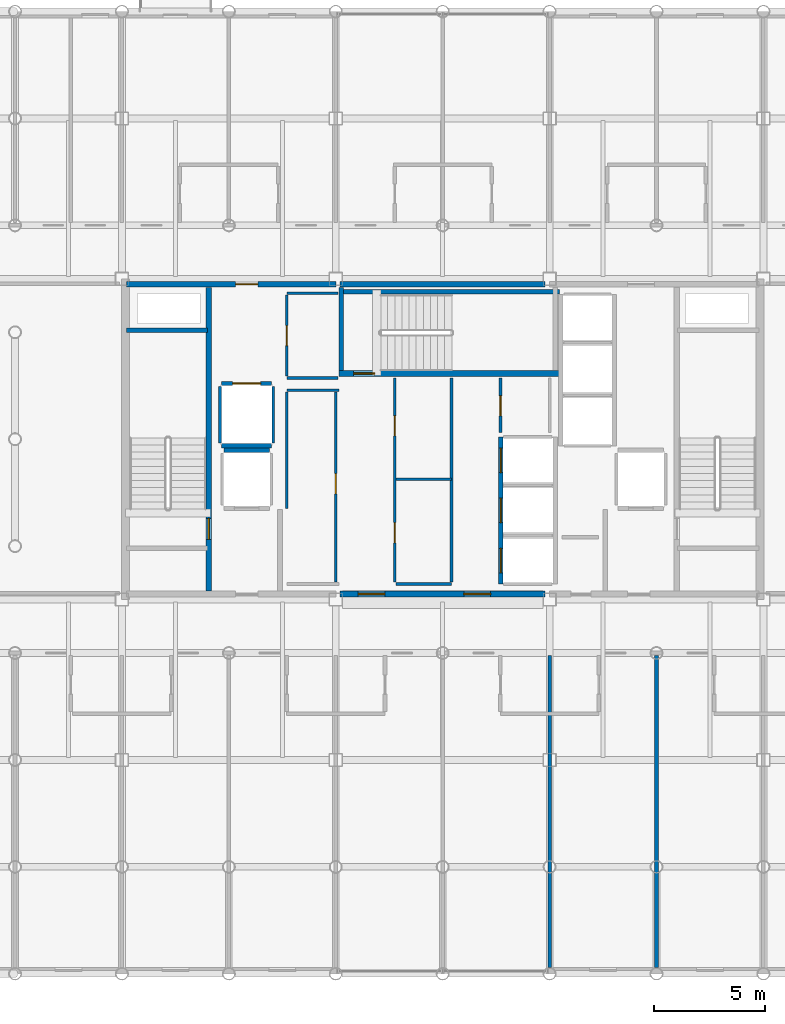
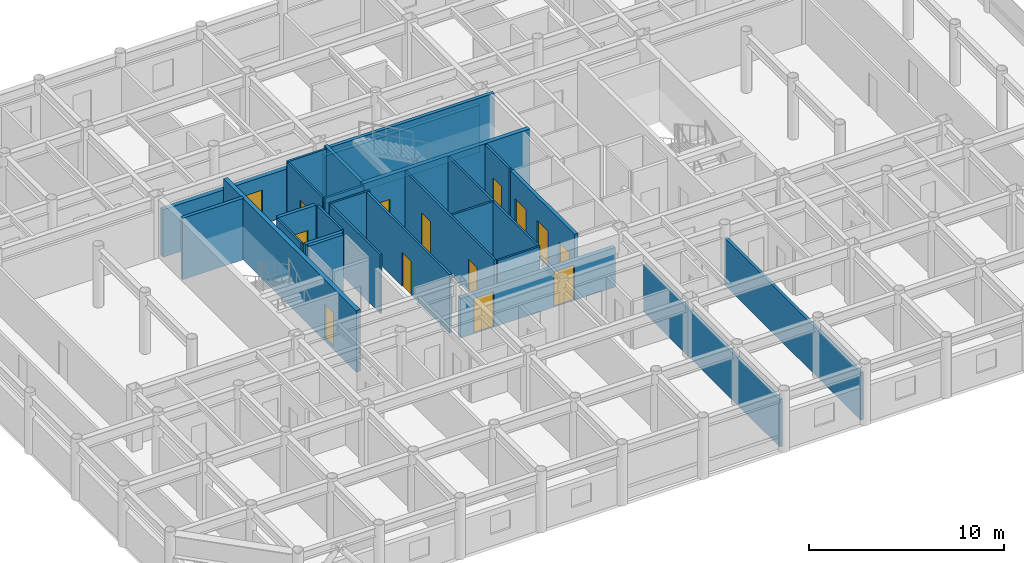
# One storey, part 18 of 23: 27 walls, 14 doors, 14 openings.
"""IFC4 building model written with IfcOpenShell, lengths in metres."""

from ifc_helpers import new_model, si_unit, direction, frame, frame_2d, origin, place, context, subcontext, project, spatial, rectangle, extrude, material, layer, layer_set, type_object, element, fill, save


model = new_model("IFC4")

# Units and contexts
model_context = context("Model", 3, precision=1e-05, world=origin(), true_north=direction((0.0, 1.0)))
body_context = subcontext(model_context, "Body", "Model", "MODEL_VIEW")
ifc_project = project(units=[si_unit("LENGTHUNIT", "METRE"), si_unit("AREAUNIT", "SQUARE_METRE"), si_unit("VOLUMEUNIT", "CUBIC_METRE"), si_unit("PLANEANGLEUNIT", "RADIAN"), si_unit("MASSUNIT", "GRAM", prefix="KILO")], contexts=[model_context])

# Site, building, storey
site_placement = place(None, origin())
site = spatial("IfcSite", under=ifc_project, at=site_placement, CompositionType="ELEMENT")
building_placement = place(site_placement, origin())
building = spatial("IfcBuilding", under=site, at=building_placement, Name="Kallvorn Hotel Tower", CompositionType="ELEMENT")
storey_placement = place(building_placement, frame((0.0, 0.0, 195.35009765625)))
storey = spatial("IfcBuildingStorey", under=building, at=storey_placement, Name="L48", CompositionType="ELEMENT", Elevation=195.35009765625)

# Walls
ifc_material_1 = material(Name="Fire-rated double-layer acoustic gypsum drywall EI 60")
ifc_layer_1 = layer(ifc_material_1, 0.159912109375)
ifc_layer_set_1 = layer_set([ifc_layer_1], Name="WL_DEMISE_160")
wall_type_1 = type_object("IfcWallType", Name="WL_DEMISE_160", PredefinedType="PARTITIONING", material=ifc_layer_set_1)
for number, where, z_axis, x_axis, name in (
    (1, (4.800048828125, -23.7099609375, 0.0), (0.0, 0.0, 1.0), (0.0, 1.0, 0.0), "L48 Suite 4805 Superior Twin Room Partition"),
    (2, (9.60009765625, -23.7099609375, 0.0), (0.0, 0.0, 1.0), (0.0, 1.0, 0.0), "L48 Suite 4806 Superior Twin Room Partition"),
):
    element("IfcWall", number, at=place(storey_placement, frame(where, z_axis=z_axis, x_axis=x_axis)), inside=storey, type_object=wall_type_1, Name=name, PredefinedType="PARTITIONING", context=body_context, shape_type="SweptSolid", body=[
        extrude(rectangle(XDim=13.989990234375, YDim=0.159912109375, at=frame_2d((6.9951171875, 0.0))), origin(), (0.0, 0.0, 1.0), 2.969970703125),
    ])
ifc_material_2 = material(Name="Concrete C40/50", Category="concrete")
ifc_layer_2 = layer(ifc_material_2, 0.199951171875)
ifc_layer_set_2 = layer_set([ifc_layer_2], Name="WL_HOIST_200")
wall_type_2 = type_object("IfcWallType", Name="WL_HOIST_200", PredefinedType="SOLIDWALL", material=ifc_layer_set_2)
wall_1_placement = place(storey_placement, frame((-14.199951171875, 4.89990234375, -0.18017578125), z_axis=(0.0, 0.0, 1.0), x_axis=(1.0, 0.0, 0.0)))
element("IfcWall", 3, at=wall_1_placement, inside=storey, type_object=wall_type_2, Name="L48 Stair ST1 North Wall", PredefinedType="SOLIDWALL", context=body_context, shape_type="SweptSolid", body=[
    extrude(rectangle(XDim=3.64990234375, YDim=0.199951171875, at=frame_2d((1.824951171875, 0.0))), origin(), (0.0, 0.0, 1.0), 3.85009765625),
])
wall_2_placement = place(storey_placement, frame((-4.64990234375, 6.610107421875, -0.18017578125), z_axis=(0.0, 0.0, 1.0), x_axis=(1.0, 0.0, 0.0)))
element("IfcWall", 4, at=wall_2_placement, inside=storey, type_object=wall_type_2, Name="L48 Stair ST3 Shaft North Wall", PredefinedType="SOLIDWALL", context=body_context, shape_type="SweptSolid", body=[
    extrude(rectangle(XDim=9.89990234375, YDim=0.199951171875, at=frame_2d((4.949951171875, 0.0))), origin(), (0.0, 0.0, 1.0), 3.85009765625),
])
wall_3_placement = place(storey_placement, frame((-4.550048828125, 3.080078125, -0.18017578125), z_axis=(0.0, 0.0, 1.0), x_axis=(0.0, 1.0, 0.0)))
element("IfcWall", 5, at=wall_3_placement, inside=storey, type_object=wall_type_2, Name="L48 Stair ST3 West Wall", PredefinedType="SOLIDWALL", context=body_context, shape_type="SweptSolid", body=[
    extrude(rectangle(XDim=3.739990234375, YDim=0.199951171875, at=frame_2d((1.8701171875, 0.0))), origin(), (0.0, 0.0, 1.0), 3.85009765625),
])

# Wall, openings, doors
wall_4_placement = place(storey_placement, frame((2.60009765625, -6.5, 0.0), z_axis=(0.0, 0.0, 1.0), x_axis=(0.0, 1.0, 0.0)))
wall_4 = element("IfcWall", 6, at=wall_4_placement, inside=storey, type_object=wall_type_2, Name="L48 Lift Bank B3A Landing Wall", PredefinedType="SOLIDWALL", context=body_context, shape_type="SweptSolid", body=[
    extrude(rectangle(XDim=6.60009765625, YDim=0.199951171875, at=frame_2d((3.300048828125, 0.0))), origin(), (0.0, 0.0, 1.0), 3.669921875),
])
opening_1_placement = place(wall_4_placement, frame((0.5, 0.0, 0.0)))
opening_1 = element("IfcOpeningElement", 7, at=opening_1_placement, cuts=wall_4, Name="Opening LD-PL-09", PredefinedType="OPENING", context=body_context, shape_type="SweptSolid", body=[
    extrude(rectangle(XDim=1.10009765625, YDim=2.199951171875, at=frame_2d((0.550048828125, 1.10009765625))), frame((0.0, 0.114990234375, 0.0), z_axis=(0.0, -1.0, 0.0), x_axis=(1.0, 0.0, 0.0)), (0.0, 0.0, 1.0), 0.22998046875),
])
opening_2_placement = place(wall_4_placement, frame((2.75, 0.0, 0.0)))
opening_2 = element("IfcOpeningElement", 8, at=opening_2_placement, cuts=wall_4, Name="Opening LD-PL-10", PredefinedType="OPENING", context=body_context, shape_type="SweptSolid", body=[
    extrude(rectangle(XDim=1.10009765625, YDim=2.199951171875, at=frame_2d((0.550048828125, 1.10009765625))), frame((0.0, 0.114990234375, 0.0), z_axis=(0.0, -1.0, 0.0), x_axis=(1.0, 0.0, 0.0)), (0.0, 0.0, 1.0), 0.22998046875),
])
opening_3_placement = place(wall_4_placement, frame((5.0, 0.0, 0.0)))
opening_3 = element("IfcOpeningElement", 9, at=opening_3_placement, cuts=wall_4, Name="Opening LD-PL-11", PredefinedType="OPENING", context=body_context, shape_type="SweptSolid", body=[
    extrude(rectangle(XDim=1.10009765625, YDim=2.199951171875, at=frame_2d((0.550048828125, 1.10009765625))), frame((0.0, 0.114990234375, 0.0), z_axis=(0.0, -1.0, 0.0), x_axis=(1.0, 0.0, 0.0)), (0.0, 0.0, 1.0), 0.22998046875),
])
ifc_material_3 = material(Name="Brushed stainless-steel automatic sliding lift landing door", Category="steel")
door_type_1 = type_object("IfcDoorType", Name="LD_PASS_1100x2200", OperationType="SLIDING_TO_LEFT", PredefinedType="DOOR", material=ifc_material_3)
door_1_placement = place(opening_1_placement, origin())
door_1 = element("IfcDoor", 10, at=door_1_placement, inside=storey, type_object=door_type_1, Name="L48 Lift Landing Sliding Door LD-PL-09", OperationType="SLIDING_TO_LEFT", OverallHeight=2.199951171875, OverallWidth=1.10009765625, PredefinedType="DOOR", context=body_context, shape_type="SweptSolid", body=[
    extrude(rectangle(XDim=1.10009765625, YDim=2.199951171875, at=frame_2d((0.550048828125, 1.10009765625))), frame((0.0, 0.02490234375, 0.0), z_axis=(0.0, -1.0, 0.0), x_axis=(1.0, 0.0, 0.0)), (0.0, 0.0, 1.0), 0.050048828125),
])
fill(opening_1, door_1)
door_2_placement = place(opening_2_placement, origin())
door_2 = element("IfcDoor", 11, at=door_2_placement, inside=storey, type_object=door_type_1, Name="L48 Lift Landing Sliding Door LD-PL-10", OperationType="SLIDING_TO_LEFT", OverallHeight=2.199951171875, OverallWidth=1.10009765625, PredefinedType="DOOR", context=body_context, shape_type="SweptSolid", body=[
    extrude(rectangle(XDim=1.10009765625, YDim=2.199951171875, at=frame_2d((0.550048828125, 1.10009765625))), frame((0.0, 0.02490234375, 0.0), z_axis=(0.0, -1.0, 0.0), x_axis=(1.0, 0.0, 0.0)), (0.0, 0.0, 1.0), 0.050048828125),
])
fill(opening_2, door_2)
door_3_placement = place(opening_3_placement, origin())
door_3 = element("IfcDoor", 12, at=door_3_placement, inside=storey, type_object=door_type_1, Name="L48 Lift Landing Sliding Door LD-PL-11", OperationType="SLIDING_TO_LEFT", OverallHeight=2.199951171875, OverallWidth=1.10009765625, PredefinedType="DOOR", context=body_context, shape_type="SweptSolid", body=[
    extrude(rectangle(XDim=1.10009765625, YDim=2.199951171875, at=frame_2d((0.550048828125, 1.10009765625))), frame((0.0, 0.02490234375, 0.0), z_axis=(0.0, -1.0, 0.0), x_axis=(1.0, 0.0, 0.0)), (0.0, 0.0, 1.0), 0.050048828125),
])
fill(opening_3, door_3)

# Wall
wall_5_placement = place(storey_placement, frame((-9.820068359375, -0.5, 0.0), z_axis=(0.0, 0.0, 1.0), x_axis=(1.0, 0.0, 0.0)))
element("IfcWall", 13, at=wall_5_placement, inside=storey, type_object=wall_type_2, Name="L48 FL-1 Rear Shaft Wall", PredefinedType="SOLIDWALL", context=body_context, shape_type="SweptSolid", body=[
    extrude(rectangle(XDim=2.0400390625, YDim=0.199951171875, at=frame_2d((1.02001953125, 0.0))), origin(), (0.0, 0.0, 1.0), 3.669921875),
])

# Wall, opening, door
wall_6_placement = place(storey_placement, frame((-9.919921875, 2.5, 0.0), z_axis=(0.0, 0.0, 1.0), x_axis=(1.0, 0.0, 0.0)))
wall_6 = element("IfcWall", 14, at=wall_6_placement, inside=storey, type_object=wall_type_2, Name="L48 SV-01 Landing Wall", PredefinedType="SOLIDWALL", context=body_context, shape_type="SweptSolid", body=[
    extrude(rectangle(XDim=2.239990234375, YDim=0.199951171875, at=frame_2d((1.1201171875, 0.0))), origin(), (0.0, 0.0, 1.0), 3.669921875),
])
opening_4_placement = place(wall_6_placement, frame((0.4951171875, 0.0, 0.0)))
opening_4 = element("IfcOpeningElement", 15, at=opening_4_placement, cuts=wall_6, Name="Opening LD-SV-01", PredefinedType="OPENING", context=body_context, shape_type="SweptSolid", body=[
    extrude(rectangle(XDim=1.25, YDim=2.25, at=frame_2d((0.625, 1.125))), frame((0.0, 0.114990234375, 0.0), z_axis=(0.0, -1.0, 0.0), x_axis=(1.0, 0.0, 0.0)), (0.0, 0.0, 1.0), 0.22998046875),
])
ifc_material_4 = material(Name="Brushed stainless-steel automatic sliding lift landing door", Category="steel")
door_type_2 = type_object("IfcDoorType", Name="LD_SERV_1250x2250", OperationType="SLIDING_TO_LEFT", PredefinedType="DOOR", material=ifc_material_4)
door_4_placement = place(opening_4_placement, origin())
door_4 = element("IfcDoor", 16, at=door_4_placement, inside=storey, type_object=door_type_2, Name="L48 Lift Landing Sliding Door LD-SV-01", OperationType="SLIDING_TO_LEFT", OverallHeight=2.25, OverallWidth=1.25, PredefinedType="DOOR", context=body_context, shape_type="SweptSolid", body=[
    extrude(rectangle(XDim=1.25, YDim=2.25, at=frame_2d((0.625, 1.125))), frame((0.0, 0.02490234375, 0.0), z_axis=(0.0, -1.0, 0.0), x_axis=(1.0, 0.0, 0.0)), (0.0, 0.0, 1.0), 0.050048828125),
])
fill(opening_4, door_4)

# Walls
wall_7_placement = place(storey_placement, frame((-9.919921875, -0.300048828125, 0.0), z_axis=(0.0, 0.0, 1.0), x_axis=(1.0, 0.0, 0.0)))
element("IfcWall", 17, at=wall_7_placement, inside=storey, type_object=wall_type_2, Name="L48 SV-01 Rear Shaft Wall", PredefinedType="SOLIDWALL", context=body_context, shape_type="SweptSolid", body=[
    extrude(rectangle(XDim=2.239990234375, YDim=0.199951171875, at=frame_2d((1.1201171875, 0.0))), origin(), (0.0, 0.0, 1.0), 3.669921875),
])
ifc_material_5 = material(Name="Fire-rated double-layer acoustic gypsum drywall EI 60")
ifc_layer_3 = layer(ifc_material_5, 0.1201171875)
ifc_layer_set_3 = layer_set([ifc_layer_3], Name="WL_INT_120")
wall_type_3 = type_object("IfcWallType", Name="WL_INT_120", PredefinedType="PARTITIONING", material=ifc_layer_set_3)
for number, where, z_axis, x_axis, name in (
    (18, (-10.0, -0.159912109375, 0.0), (0.0, 0.0, 1.0), (0.0, 1.0, 0.0), "L48 SV-01 West Shaft Wall"),
    (19, (-7.60009765625, -0.159912109375, 0.0), (0.0, 0.0, 1.0), (0.0, 1.0, 0.0), "L48 SV-01 East Shaft Wall"),
):
    element("IfcWall", number, at=place(storey_placement, frame(where, z_axis=z_axis, x_axis=x_axis)), inside=storey, type_object=wall_type_3, Name=name, PredefinedType="PARTITIONING", context=body_context, shape_type="SweptSolid", body=[
        extrude(rectangle(XDim=2.52001953125, YDim=0.1201171875, at=frame_2d((1.260009765625, 0.0))), origin(), (0.0, 0.0, 1.0), 3.669921875),
    ])
for number, where, z_axis, x_axis, name in (
    (20, (-2.10009765625, -6.5, 0.0), (0.0, 0.0, 1.0), (1.0, 0.0, 0.0), "L48 High-Zone Sommelier and Beverage Pantry Partition"),
    (21, (-2.10009765625, -1.800048828125, 0.0), (0.0, 0.0, 1.0), (1.0, 0.0, 0.0), "L48 High-Zone Housekeeping Reserve Store Partition"),
):
    element("IfcWall", number, at=place(storey_placement, frame(where, z_axis=z_axis, x_axis=x_axis)), inside=storey, type_object=wall_type_3, Name=name, PredefinedType="PARTITIONING", context=body_context, shape_type="SweptSolid", body=[
        extrude(rectangle(XDim=2.5, YDim=0.1201171875, at=frame_2d((1.25, 0.0))), origin(), (0.0, 0.0, 1.0), 3.669921875),
    ])
wall_8_placement = place(storey_placement, frame((-7.0, 2.199951171875, 0.0), z_axis=(0.0, 0.0, 1.0), x_axis=(1.0, 0.0, 0.0)))
element("IfcWall", 22, at=wall_8_placement, inside=storey, type_object=wall_type_3, Name="L48 Recaptured Butler and Room-Service Pantry Partition", PredefinedType="PARTITIONING", context=body_context, shape_type="SweptSolid", body=[
    extrude(rectangle(XDim=2.35009765625, YDim=0.1201171875, at=frame_2d((1.175048828125, 0.0))), origin(), (0.0, 0.0, 1.0), 3.669921875),
])
for number, where, z_axis, x_axis, name in (
    (23, (-7.0, 2.75, 0.0), (0.0, 0.0, 1.0), (1.0, 0.0, 0.0), "L48 Recaptured Valet and Linen Reserve Store Partition"),
    (24, (-7.0, 6.550048828125, 0.0), (0.0, 0.0, 1.0), (1.0, 0.0, 0.0), "L48 Recaptured Valet and Linen Reserve Store Partition"),
):
    element("IfcWall", number, at=place(storey_placement, frame(where, z_axis=z_axis, x_axis=x_axis)), inside=storey, type_object=wall_type_3, Name=name, PredefinedType="PARTITIONING", context=body_context, shape_type="SweptSolid", body=[
        extrude(rectangle(XDim=2.31005859375, YDim=0.1201171875, at=frame_2d((1.155029296875, 0.0))), origin(), (0.0, 0.0, 1.0), 3.669921875),
    ])
wall_9_placement = place(storey_placement, frame((-7.0048828125, -3.110107421875, 0.0), z_axis=(0.0, 0.0, 1.0), x_axis=(0.0, 1.0, 0.0)))
element("IfcWall", 25, at=wall_9_placement, inside=storey, type_object=wall_type_3, Name="L48 Recaptured Butler and Room-Service Pantry Partition", PredefinedType="PARTITIONING", context=body_context, shape_type="SweptSolid", body=[
    extrude(rectangle(XDim=5.22509765625, YDim=0.1201171875, at=frame_2d((2.612548828125, 0.0))), origin(), (0.0, 0.0, 1.0), 3.669921875),
])

# Wall, opening, door
wall_10_placement = place(storey_placement, frame((-7.0048828125, 2.8349609375, 0.0), z_axis=(0.0, 0.0, 1.0), x_axis=(0.0, 1.0, 0.0)))
wall_10 = element("IfcWall", 26, at=wall_10_placement, inside=storey, type_object=wall_type_3, Name="L48 Recaptured Valet and Linen Reserve Store Partition", PredefinedType="PARTITIONING", context=body_context, shape_type="SweptSolid", body=[
    extrude(rectangle(XDim=3.630126953125, YDim=0.1201171875, at=frame_2d((1.81494140625, 0.0))), origin(), (0.0, 0.0, 1.0), 3.669921875),
])
opening_5_placement = place(wall_10_placement, frame((1.364990234375, 0.0, 0.0)))
opening_5 = element("IfcOpeningElement", 27, at=opening_5_placement, cuts=wall_10, Name="Opening SVD1", PredefinedType="OPENING", context=body_context, shape_type="SweptSolid", body=[
    extrude(rectangle(XDim=0.89990234375, YDim=2.10009765625, at=frame_2d((0.449951171875, 1.050048828125))), frame((0.0, 0.074951171875, 0.0), z_axis=(0.0, -1.0, 0.0), x_axis=(1.0, 0.0, 0.0)), (0.0, 0.0, 1.0), 0.150146484375),
])
ifc_material_6 = material(Name="Galvanised painted steel fire-rated door assembly", Category="steel")
door_type_3 = type_object("IfcDoorType", Name="DR_SERV_900x2100", OperationType="NOTDEFINED", PredefinedType="DOOR", material=ifc_material_6)
door_5_placement = place(opening_5_placement, origin())
door_5 = element("IfcDoor", 28, at=door_5_placement, inside=storey, type_object=door_type_3, Name="L48 Recaptured Valet and Linen Reserve Store Door", OperationType="SINGLE_SWING_RIGHT", OverallHeight=2.10009765625, OverallWidth=0.89990234375, PredefinedType="DOOR", context=body_context, shape_type="SweptSolid", body=[
    extrude(rectangle(XDim=0.89990234375, YDim=2.10009765625, at=frame_2d((0.449951171875, 1.050048828125))), frame((0.0, 0.02490234375, 0.0), z_axis=(0.0, -1.0, 0.0), x_axis=(1.0, 0.0, 0.0)), (0.0, 0.0, 1.0), 0.050048828125),
])
fill(opening_5, door_5)

wall_11_placement = place(storey_placement, frame((-4.800048828125, -6.4150390625, 0.0), z_axis=(0.0, 0.0, 1.0), x_axis=(0.0, 1.0, 0.0)))
wall_11 = element("IfcWall", 29, at=wall_11_placement, inside=storey, type_object=wall_type_3, Name="L48 Recaptured Butler and Room-Service Pantry Partition", PredefinedType="PARTITIONING", context=body_context, shape_type="SweptSolid", body=[
    extrude(rectangle(XDim=8.530029296875, YDim=0.1201171875, at=frame_2d((4.26513671875, 0.0))), origin(), (0.0, 0.0, 1.0), 3.669921875),
])
opening_6_placement = place(wall_11_placement, frame((3.965087890625, 0.0, 0.0)))
opening_6 = element("IfcOpeningElement", 30, at=opening_6_placement, cuts=wall_11, Name="Opening SVD1", PredefinedType="OPENING", context=body_context, shape_type="SweptSolid", body=[
    extrude(rectangle(XDim=0.89990234375, YDim=2.10009765625, at=frame_2d((0.449951171875, 1.050048828125))), frame((0.0, 0.074951171875, 0.0), z_axis=(0.0, -1.0, 0.0), x_axis=(1.0, 0.0, 0.0)), (0.0, 0.0, 1.0), 0.150146484375),
])
door_6_placement = place(opening_6_placement, origin())
door_6 = element("IfcDoor", 31, at=door_6_placement, inside=storey, type_object=door_type_3, Name="L48 Recaptured Butler and Room-Service Pantry Door", OperationType="SINGLE_SWING_LEFT", OverallHeight=2.10009765625, OverallWidth=0.89990234375, PredefinedType="DOOR", context=body_context, shape_type="SweptSolid", body=[
    extrude(rectangle(XDim=0.89990234375, YDim=2.10009765625, at=frame_2d((0.449951171875, 1.050048828125))), frame((0.0, 0.02490234375, 0.0), z_axis=(0.0, -1.0, 0.0), x_axis=(1.0, 0.0, 0.0)), (0.0, 0.0, 1.0), 0.050048828125),
])
fill(opening_6, door_6)

# Wall, openings, doors
wall_12_placement = place(storey_placement, frame((-2.155029296875, -6.4150390625, 0.0), z_axis=(0.0, 0.0, 1.0), x_axis=(0.0, 1.0, 0.0)))
wall_12 = element("IfcWall", 32, at=wall_12_placement, inside=storey, type_object=wall_type_3, Name="L48 High-Zone Sommelier and Beverage Pantry Partition", PredefinedType="PARTITIONING", context=body_context, shape_type="SweptSolid", body=[
    extrude(rectangle(XDim=9.1650390625, YDim=0.1201171875, at=frame_2d((4.58251953125, 0.0))), origin(), (0.0, 0.0, 1.0), 3.669921875),
])
opening_7_placement = place(wall_12_placement, frame((1.764892578125, 0.0, 0.0)))
opening_7 = element("IfcOpeningElement", 33, at=opening_7_placement, cuts=wall_12, Name="Opening SVD1", PredefinedType="OPENING", context=body_context, shape_type="SweptSolid", body=[
    extrude(rectangle(XDim=0.89990234375, YDim=2.10009765625, at=frame_2d((0.449951171875, 1.050048828125))), frame((0.0, 0.074951171875, 0.0), z_axis=(0.0, -1.0, 0.0), x_axis=(1.0, 0.0, 0.0)), (0.0, 0.0, 1.0), 0.150146484375),
])
opening_8_placement = place(wall_12_placement, frame((6.56494140625, 0.0, 0.0)))
opening_8 = element("IfcOpeningElement", 34, at=opening_8_placement, cuts=wall_12, Name="Opening SVD1", PredefinedType="OPENING", context=body_context, shape_type="SweptSolid", body=[
    extrude(rectangle(XDim=0.89990234375, YDim=2.10009765625, at=frame_2d((0.449951171875, 1.050048828125))), frame((0.0, 0.074951171875, 0.0), z_axis=(0.0, -1.0, 0.0), x_axis=(1.0, 0.0, 0.0)), (0.0, 0.0, 1.0), 0.150146484375),
])
door_7_placement = place(opening_7_placement, origin())
door_7 = element("IfcDoor", 35, at=door_7_placement, inside=storey, type_object=door_type_3, Name="L48 High-Zone Sommelier and Beverage Pantry Door", OperationType="SINGLE_SWING_LEFT", OverallHeight=2.10009765625, OverallWidth=0.89990234375, PredefinedType="DOOR", context=body_context, shape_type="SweptSolid", body=[
    extrude(rectangle(XDim=0.89990234375, YDim=2.10009765625, at=frame_2d((0.449951171875, 1.050048828125))), frame((0.0, 0.02490234375, 0.0), z_axis=(0.0, -1.0, 0.0), x_axis=(1.0, 0.0, 0.0)), (0.0, 0.0, 1.0), 0.050048828125),
])
fill(opening_7, door_7)
door_8_placement = place(opening_8_placement, origin())
door_8 = element("IfcDoor", 36, at=door_8_placement, inside=storey, type_object=door_type_3, Name="L48 High-Zone Housekeeping Reserve Store Door", OperationType="SINGLE_SWING_RIGHT", OverallHeight=2.10009765625, OverallWidth=0.89990234375, PredefinedType="DOOR", context=body_context, shape_type="SweptSolid", body=[
    extrude(rectangle(XDim=0.89990234375, YDim=2.10009765625, at=frame_2d((0.449951171875, 1.050048828125))), frame((0.0, 0.02490234375, 0.0), z_axis=(0.0, -1.0, 0.0), x_axis=(1.0, 0.0, 0.0)), (0.0, 0.0, 1.0), 0.050048828125),
])
fill(opening_8, door_8)

# Wall
wall_13_placement = place(storey_placement, frame((0.39990234375, -6.4150390625, 0.0), z_axis=(0.0, 0.0, 1.0), x_axis=(0.0, 1.0, 0.0)))
element("IfcWall", 37, at=wall_13_placement, inside=storey, type_object=wall_type_3, Name="L48 High-Zone Sommelier and Beverage Pantry Partition", PredefinedType="PARTITIONING", context=body_context, shape_type="SweptSolid", body=[
    extrude(rectangle(XDim=9.1650390625, YDim=0.1201171875, at=frame_2d((4.58251953125, 0.0))), origin(), (0.0, 0.0, 1.0), 3.669921875),
])

# Wall, opening, door
wall_14_placement = place(storey_placement, frame((2.59326171875, 0.300048828125, 0.0), z_axis=(0.0, 0.0, 1.0), x_axis=(0.0, 1.0, 0.0)))
wall_14 = element("IfcWall", 38, at=wall_14_placement, inside=storey, type_object=wall_type_3, Name="L48 East Core Janitor Room Partition", PredefinedType="PARTITIONING", context=body_context, shape_type="SweptSolid", body=[
    extrude(rectangle(XDim=2.449951171875, YDim=0.1201171875, at=frame_2d((1.22509765625, 0.0))), origin(), (0.0, 0.0, 1.0), 3.669921875),
])
opening_9_placement = place(wall_14_placement, frame((0.75, 0.0, 0.0)))
opening_9 = element("IfcOpeningElement", 39, at=opening_9_placement, cuts=wall_14, Name="Opening SVD1", PredefinedType="OPENING", context=body_context, shape_type="SweptSolid", body=[
    extrude(rectangle(XDim=0.89990234375, YDim=2.10009765625, at=frame_2d((0.449951171875, 1.050048828125))), frame((0.0, 0.074951171875, 0.0), z_axis=(0.0, -1.0, 0.0), x_axis=(1.0, 0.0, 0.0)), (0.0, 0.0, 1.0), 0.150146484375),
])
door_9_placement = place(opening_9_placement, origin())
door_9 = element("IfcDoor", 40, at=door_9_placement, inside=storey, type_object=door_type_3, Name="L48 East Core Janitor Room Door", OperationType="SINGLE_SWING_RIGHT", OverallHeight=2.10009765625, OverallWidth=0.89990234375, PredefinedType="DOOR", context=body_context, shape_type="SweptSolid", body=[
    extrude(rectangle(XDim=0.89990234375, YDim=2.10009765625, at=frame_2d((0.449951171875, 1.050048828125))), frame((0.0, 0.02490234375, 0.0), z_axis=(0.0, -1.0, 0.0), x_axis=(1.0, 0.0, 0.0)), (0.0, 0.0, 1.0), 0.050048828125),
])
fill(opening_9, door_9)

# Wall, openings, doors
ifc_material_7 = material(Name="Concrete C40/50", Category="concrete")
ifc_layer_4 = layer(ifc_material_7, 0.25)
ifc_layer_set_4 = layer_set([ifc_layer_4], Name="WL_SHAFT_250")
wall_type_4 = type_object("IfcWallType", Name="WL_SHAFT_250", PredefinedType="SOLIDWALL", material=ifc_layer_set_4)
wall_15_placement = place(storey_placement, frame((-4.60009765625, -6.949951171875, 0.0), z_axis=(0.0, 0.0, 1.0), x_axis=(1.0, 0.0, 0.0)))
wall_15 = element("IfcWall", 41, at=wall_15_placement, inside=storey, type_object=wall_type_4, Name="L48 Core South-Central Wall", PredefinedType="SOLIDWALL", context=body_context, shape_type="SweptSolid", body=[
    extrude(rectangle(XDim=9.2001953125, YDim=0.25, at=frame_2d((4.60009765625, 0.0))), origin(), (0.0, 0.0, 1.0), 2.469970703125),
])
opening_10_placement = place(wall_15_placement, frame((0.800048828125, 0.0, 0.0)))
opening_10 = element("IfcOpeningElement", 42, at=opening_10_placement, cuts=wall_15, Name="Opening FD2", PredefinedType="OPENING", context=body_context, shape_type="SweptSolid", body=[
    extrude(rectangle(XDim=1.199951171875, YDim=2.199951171875, at=frame_2d((0.60009765625, 1.10009765625))), frame((0.0, 0.139892578125, 0.0), z_axis=(0.0, -1.0, 0.0), x_axis=(1.0, 0.0, 0.0)), (0.0, 0.0, 1.0), 0.280029296875),
])
opening_11_placement = place(wall_15_placement, frame((5.550048828125, 0.0, 0.0)))
opening_11 = element("IfcOpeningElement", 43, at=opening_11_placement, cuts=wall_15, Name="Opening FD2", PredefinedType="OPENING", context=body_context, shape_type="SweptSolid", body=[
    extrude(rectangle(XDim=1.199951171875, YDim=2.199951171875, at=frame_2d((0.60009765625, 1.10009765625))), frame((0.0, 0.139892578125, 0.0), z_axis=(0.0, -1.0, 0.0), x_axis=(1.0, 0.0, 0.0)), (0.0, 0.0, 1.0), 0.280029296875),
])
ifc_material_8 = material(Name="Galvanised painted steel fire-rated door assembly", Category="steel")
door_type_4 = type_object("IfcDoorType", Name="DR_LOBBY_1200x2200", OperationType="DOUBLE_DOOR_SINGLE_SWING", PredefinedType="DOOR", material=ifc_material_8)
door_10_placement = place(opening_10_placement, origin())
door_10 = element("IfcDoor", 44, at=door_10_placement, inside=storey, type_object=door_type_4, Name="L48 West Passenger Lift Lobby Door", OperationType="DOUBLE_DOOR_SINGLE_SWING", OverallHeight=2.199951171875, OverallWidth=1.199951171875, PredefinedType="DOOR", context=body_context, shape_type="SweptSolid", body=[
    extrude(rectangle(XDim=1.199951171875, YDim=2.199951171875, at=frame_2d((0.60009765625, 1.10009765625))), frame((0.0, 0.02490234375, 0.0), z_axis=(0.0, -1.0, 0.0), x_axis=(1.0, 0.0, 0.0)), (0.0, 0.0, 1.0), 0.050048828125),
])
fill(opening_10, door_10)
door_11_placement = place(opening_11_placement, origin())
door_11 = element("IfcDoor", 45, at=door_11_placement, inside=storey, type_object=door_type_4, Name="L48 East Passenger Lift Lobby Door", OperationType="DOUBLE_DOOR_SINGLE_SWING", OverallHeight=2.199951171875, OverallWidth=1.199951171875, PredefinedType="DOOR", context=body_context, shape_type="SweptSolid", body=[
    extrude(rectangle(XDim=1.199951171875, YDim=2.199951171875, at=frame_2d((0.60009765625, 1.10009765625))), frame((0.0, 0.02490234375, 0.0), z_axis=(0.0, -1.0, 0.0), x_axis=(1.0, 0.0, 0.0)), (0.0, 0.0, 1.0), 0.050048828125),
])
fill(opening_11, door_11)

# Wall, opening, door
wall_16_placement = place(storey_placement, frame((-14.199951171875, 6.949951171875, 0.0), z_axis=(0.0, 0.0, 1.0), x_axis=(1.0, 0.0, 0.0)))
wall_16 = element("IfcWall", 46, at=wall_16_placement, inside=storey, type_object=wall_type_4, Name="L48 Core North-West Wall", PredefinedType="SOLIDWALL", context=body_context, shape_type="SweptSolid", body=[
    extrude(rectangle(XDim=9.39990234375, YDim=0.25, at=frame_2d((4.699951171875, 0.0))), origin(), (0.0, 0.0, 1.0), 2.969970703125),
])
opening_12_placement = place(wall_16_placement, frame((4.89990234375, 0.0, 0.0)))
opening_12 = element("IfcOpeningElement", 47, at=opening_12_placement, cuts=wall_16, Name="Opening FD1", PredefinedType="OPENING", context=body_context, shape_type="SweptSolid", body=[
    extrude(rectangle(XDim=1.0, YDim=2.14990234375, at=frame_2d((0.5, 1.074951171875))), frame((0.0, 0.139892578125, 0.0), z_axis=(0.0, -1.0, 0.0), x_axis=(1.0, 0.0, 0.0)), (0.0, 0.0, 1.0), 0.280029296875),
])
ifc_material_9 = material(Name="Galvanised painted steel fire-rated door assembly", Category="steel")
door_type_5 = type_object("IfcDoorType", Name="DR_FFL_1000x2150", OperationType="NOTDEFINED", PredefinedType="DOOR", material=ifc_material_9)
door_12_placement = place(opening_12_placement, origin())
door_12 = element("IfcDoor", 48, at=door_12_placement, inside=storey, type_object=door_type_5, Name="L48 Service Lift Lobby Door", OperationType="SINGLE_SWING_LEFT", OverallHeight=2.14990234375, OverallWidth=1.0, PredefinedType="DOOR", context=body_context, shape_type="SweptSolid", body=[
    extrude(rectangle(XDim=1.0, YDim=2.14990234375, at=frame_2d((0.5, 1.074951171875))), frame((0.0, 0.02490234375, 0.0), z_axis=(0.0, -1.0, 0.0), x_axis=(1.0, 0.0, 0.0)), (0.0, 0.0, 1.0), 0.050048828125),
])
fill(opening_12, door_12)

# Wall
wall_17_placement = place(storey_placement, frame((-4.60009765625, 6.949951171875, 0.0), z_axis=(0.0, 0.0, 1.0), x_axis=(1.0, 0.0, 0.0)))
element("IfcWall", 49, at=wall_17_placement, inside=storey, type_object=wall_type_4, Name="L48 Core North-Central Wall", PredefinedType="SOLIDWALL", context=body_context, shape_type="SweptSolid", body=[
    extrude(rectangle(XDim=9.2001953125, YDim=0.25, at=frame_2d((4.60009765625, 0.0))), origin(), (0.0, 0.0, 1.0), 2.969970703125),
])

# Wall, opening, door
wall_18_placement = place(storey_placement, frame((-10.5, -6.820068359375, -0.18017578125), z_axis=(0.0, 0.0, 1.0), x_axis=(0.0, 1.0, 0.0)))
wall_18 = element("IfcWall", 50, at=wall_18_placement, inside=storey, type_object=wall_type_4, Name="L48 Stair ST1 Shaft Wall", PredefinedType="SOLIDWALL", context=body_context, shape_type="SweptSolid", body=[
    extrude(rectangle(XDim=13.64013671875, YDim=0.25, at=frame_2d((6.820068359375, 0.0))), origin(), (0.0, 0.0, 1.0), 3.85009765625),
])
opening_13_placement = place(wall_18_placement, frame((2.320068359375, 0.0, 0.179931640625)))
opening_13 = element("IfcOpeningElement", 51, at=opening_13_placement, cuts=wall_18, Name="Opening SD1", PredefinedType="OPENING", context=body_context, shape_type="SweptSolid", body=[
    extrude(rectangle(XDim=0.949951171875, YDim=2.14990234375, at=frame_2d((0.47509765625, 1.074951171875))), frame((0.0, 0.139892578125, 0.0), z_axis=(0.0, -1.0, 0.0), x_axis=(1.0, 0.0, 0.0)), (0.0, 0.0, 1.0), 0.280029296875),
])
ifc_material_10 = material(Name="Galvanised painted steel fire-rated door assembly", Category="steel")
door_type_6 = type_object("IfcDoorType", Name="DR_STAIR_950x2150", OperationType="NOTDEFINED", PredefinedType="DOOR", material=ifc_material_10)
door_13_placement = place(opening_13_placement, origin())
door_13 = element("IfcDoor", 52, at=door_13_placement, inside=storey, type_object=door_type_6, Name="L48 Exit Stair ST1 Fire Door", OperationType="SINGLE_SWING_LEFT", OverallHeight=2.14990234375, OverallWidth=0.949951171875, PredefinedType="DOOR", context=body_context, shape_type="SweptSolid", body=[
    extrude(rectangle(XDim=0.949951171875, YDim=2.14990234375, at=frame_2d((0.47509765625, 1.074951171875))), frame((0.0, 0.02490234375, 0.0), z_axis=(0.0, -1.0, 0.0), x_axis=(1.0, 0.0, 0.0)), (0.0, 0.0, 1.0), 0.050048828125),
])
fill(opening_13, door_13)

wall_19_placement = place(storey_placement, frame((-4.64990234375, 2.949951171875, -0.18017578125), z_axis=(0.0, 0.0, 1.0), x_axis=(1.0, 0.0, 0.0)))
wall_19 = element("IfcWall", 53, at=wall_19_placement, inside=storey, type_object=wall_type_4, Name="L48 Stair ST3 Shaft South Wall", PredefinedType="SOLIDWALL", context=body_context, shape_type="SweptSolid", body=[
    extrude(rectangle(XDim=9.89990234375, YDim=0.25, at=frame_2d((4.949951171875, 0.0))), origin(), (0.0, 0.0, 1.0), 3.85009765625),
])
opening_14_placement = place(wall_19_placement, frame((0.64990234375, 0.0, 0.179931640625)))
opening_14 = element("IfcOpeningElement", 54, at=opening_14_placement, cuts=wall_19, Name="Opening SD1", PredefinedType="OPENING", context=body_context, shape_type="SweptSolid", body=[
    extrude(rectangle(XDim=0.949951171875, YDim=2.14990234375, at=frame_2d((0.47509765625, 1.074951171875))), frame((0.0, 0.139892578125, 0.0), z_axis=(0.0, -1.0, 0.0), x_axis=(1.0, 0.0, 0.0)), (0.0, 0.0, 1.0), 0.280029296875),
])
door_14_placement = place(opening_14_placement, origin())
door_14 = element("IfcDoor", 55, at=door_14_placement, inside=storey, type_object=door_type_6, Name="L48 Exit Stair ST3 Fire Door", OperationType="SINGLE_SWING_LEFT", OverallHeight=2.14990234375, OverallWidth=0.949951171875, PredefinedType="DOOR", context=body_context, shape_type="SweptSolid", body=[
    extrude(rectangle(XDim=0.949951171875, YDim=2.14990234375, at=frame_2d((0.47509765625, 1.074951171875))), frame((0.0, 0.02490234375, 0.0), z_axis=(0.0, -1.0, 0.0), x_axis=(1.0, 0.0, 0.0)), (0.0, 0.0, 1.0), 0.050048828125),
])
fill(opening_14, door_14)

save(model, "model.ifc")
